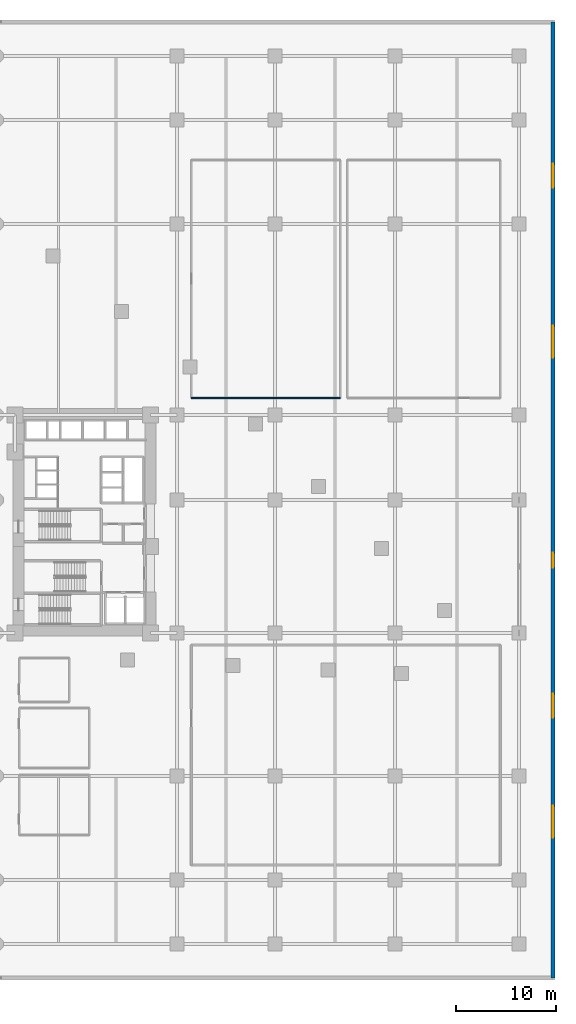
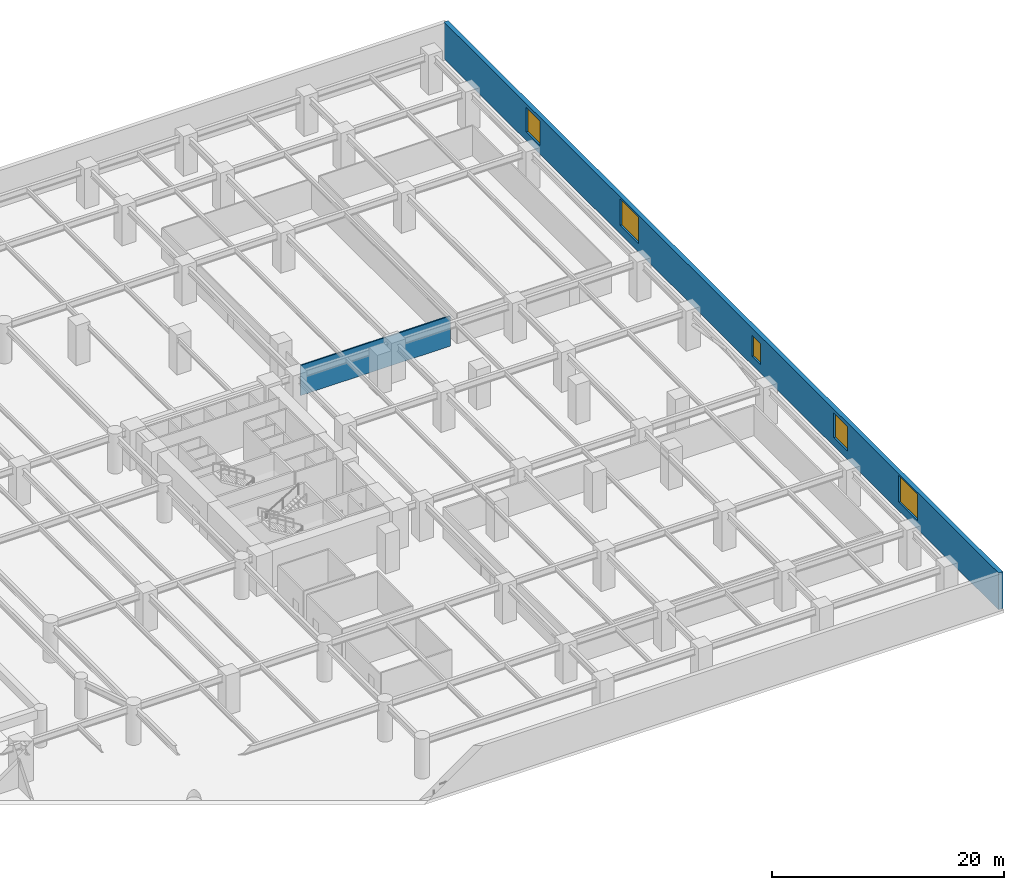
# One storey, part 10 of 25: 5 windows, 2 walls, 5 openings.
"""IFC4 building model written with IfcOpenShell, lengths in metres."""

from ifc_helpers import new_model, si_unit, direction, frame, frame_2d, origin, place, context, subcontext, project, spatial, rectangle, extrude, material, layer, layer_set, type_object, element, fill, save


model = new_model("IFC4")

# Units and contexts
model_context = context("Model", 3, precision=1e-05, world=origin(), true_north=direction((0.0, 1.0)))
body_context = subcontext(model_context, "Body", "Model", "MODEL_VIEW")
ifc_project = project(units=[si_unit("LENGTHUNIT", "METRE"), si_unit("AREAUNIT", "SQUARE_METRE"), si_unit("VOLUMEUNIT", "CUBIC_METRE"), si_unit("PLANEANGLEUNIT", "RADIAN"), si_unit("MASSUNIT", "GRAM", prefix="KILO")], contexts=[model_context])

# Site, building, storey
site_placement = place(None, origin())
site = spatial("IfcSite", under=ifc_project, at=site_placement, CompositionType="ELEMENT")
building_placement = place(site_placement, origin())
building = spatial("IfcBuilding", under=site, at=building_placement, Name="Narakoshi Arena Tower", CompositionType="ELEMENT")
storey_placement = place(building_placement, frame((0.0, 0.0, 9.0)))
storey = spatial("IfcBuildingStorey", under=building, at=storey_placement, Name="L02", CompositionType="ELEMENT", Elevation=9.0)

# Wall
ifc_material_1 = material(Name="Gypsum plasterboard fire-rated partition")
ifc_layer_1 = layer(ifc_material_1, 0.125)
ifc_layer_set_1 = layer_set([ifc_layer_1], Name="Gypsum plasterboard fire-rated partition")
wall_type_1 = type_object("IfcWallType", Name="WL-PART-125", PredefinedType="PARTITIONING", material=ifc_layer_set_1)
wall_1_placement = place(storey_placement, frame((89.60009765625, 58.199951171875, 0.0), z_axis=(0.0, 0.0, 1.0), x_axis=(1.0, 0.0, 0.0)))
element("IfcWall", 1, at=wall_1_placement, inside=storey, type_object=wall_type_1, Name="L02 Corporate Hospitality Box Suite North Wall S", PredefinedType="PARTITIONING", context=body_context, shape_type="SweptSolid", body=[
    extrude(rectangle(XDim=14.89990234375, YDim=0.125, at=frame_2d((7.449951171875, 0.0))), origin(), (0.0, 0.0, 1.0), 3.1650390625),
])

# Wall, openings, windows
ifc_material_2 = material(Name="Precast concrete C45/55", Category="concrete")
ifc_layer_2 = layer(ifc_material_2, 0.419921875)
ifc_layer_set_2 = layer_set([ifc_layer_2], Name="Precast concrete C45/55")
wall_type_2 = type_object("IfcWallType", Name="WL-POD-420", PredefinedType="SOLIDWALL", material=ifc_layer_set_2)
wall_2_placement = place(storey_placement, frame((125.7900390625, 0.2099609375, 0.0), z_axis=(0.0, 0.0, 1.0), x_axis=(0.0, 1.0, 0.0)))
wall_2 = element("IfcWall", 2, at=wall_2_placement, inside=storey, type_object=wall_type_2, Name="L02 Podium Precast Facade Wall E", PredefinedType="SOLIDWALL", context=body_context, shape_type="SweptSolid", body=[
    extrude(rectangle(XDim=95.580078125, YDim=0.419921875, at=frame_2d((47.7900390625, 0.0))), origin(), (0.0, 0.0, 1.0), 3.8798828125),
])
opening_1_placement = place(wall_2_placement, frame((14.0, 0.0, 0.89990234375)))
opening_1 = element("IfcOpeningElement", 3, at=opening_1_placement, cuts=wall_2, Name="Opening WN-08", PredefinedType="OPENING", context=body_context, shape_type="SweptSolid", body=[
    extrude(rectangle(XDim=3.199951171875, YDim=2.800048828125, at=frame_2d((1.60009765625, 1.39990234375))), frame((0.0, 0.219970703125, 0.0), z_axis=(0.0, -1.0, 0.0), x_axis=(1.0, 0.0, 0.0)), (0.0, 0.0, 1.0), 0.43994140625),
])
opening_2_placement = place(wall_2_placement, frame((26.0, 0.0, 0.89990234375)))
opening_2 = element("IfcOpeningElement", 4, at=opening_2_placement, cuts=wall_2, Name="Opening WN-09", PredefinedType="OPENING", context=body_context, shape_type="SweptSolid", body=[
    extrude(rectangle(XDim=2.39990234375, YDim=2.60009765625, at=frame_2d((1.199951171875, 1.300048828125))), frame((0.0, 0.219970703125, 0.0), z_axis=(0.0, -1.0, 0.0), x_axis=(1.0, 0.0, 0.0)), (0.0, 0.0, 1.0), 0.43994140625),
])
opening_3_placement = place(wall_2_placement, frame((41.0, 0.0, 0.89990234375)))
opening_3 = element("IfcOpeningElement", 5, at=opening_3_placement, cuts=wall_2, Name="Opening WN-10", PredefinedType="OPENING", context=body_context, shape_type="SweptSolid", body=[
    extrude(rectangle(XDim=1.5, YDim=2.199951171875, at=frame_2d((0.75, 1.10009765625))), frame((0.0, 0.219970703125, 0.0), z_axis=(0.0, -1.0, 0.0), x_axis=(1.0, 0.0, 0.0)), (0.0, 0.0, 1.0), 0.43994140625),
])
opening_4_placement = place(wall_2_placement, frame((62.0, 0.0, 0.89990234375)))
opening_4 = element("IfcOpeningElement", 6, at=opening_4_placement, cuts=wall_2, Name="Opening WN-08", PredefinedType="OPENING", context=body_context, shape_type="SweptSolid", body=[
    extrude(rectangle(XDim=3.199951171875, YDim=2.800048828125, at=frame_2d((1.60009765625, 1.39990234375))), frame((0.0, 0.219970703125, 0.0), z_axis=(0.0, -1.0, 0.0), x_axis=(1.0, 0.0, 0.0)), (0.0, 0.0, 1.0), 0.43994140625),
])
opening_5_placement = place(wall_2_placement, frame((79.0, 0.0, 0.89990234375)))
opening_5 = element("IfcOpeningElement", 7, at=opening_5_placement, cuts=wall_2, Name="Opening WN-09", PredefinedType="OPENING", context=body_context, shape_type="SweptSolid", body=[
    extrude(rectangle(XDim=2.39990234375, YDim=2.60009765625, at=frame_2d((1.199951171875, 1.300048828125))), frame((0.0, 0.219970703125, 0.0), z_axis=(0.0, -1.0, 0.0), x_axis=(1.0, 0.0, 0.0)), (0.0, 0.0, 1.0), 0.43994140625),
])
ifc_material_3 = material(Name="Bronze-tinted low-E laminated glass", Category="glass")
window_type_1 = type_object("IfcWindowType", Name="WIN-POD-15x22", PartitioningType="SINGLE_PANEL", PredefinedType="WINDOW", material=ifc_material_3)
window_1_placement = place(opening_3_placement, origin())
window_1 = element("IfcWindow", 8, at=window_1_placement, inside=storey, type_object=window_type_1, Name="L02 Podium East Window 03", OverallHeight=2.199951171875, OverallWidth=1.5, PartitioningType="SINGLE_PANEL", PredefinedType="WINDOW", context=body_context, shape_type="SweptSolid", body=[
    extrude(rectangle(XDim=1.5, YDim=2.199951171875, at=frame_2d((0.75, 1.10009765625))), frame((0.0, 0.030029296875, 0.0), z_axis=(0.0, -1.0, 0.0), x_axis=(1.0, 0.0, 0.0)), (0.0, 0.0, 1.0), 0.06005859375),
])
fill(opening_3, window_1)
window_type_2 = type_object("IfcWindowType", Name="WIN-POD-24x26", PartitioningType="SINGLE_PANEL", PredefinedType="WINDOW", material=ifc_material_3)
window_2_placement = place(opening_2_placement, origin())
window_2 = element("IfcWindow", 9, at=window_2_placement, inside=storey, type_object=window_type_2, Name="L02 Podium East Window 02", OverallHeight=2.60009765625, OverallWidth=2.39990234375, PartitioningType="SINGLE_PANEL", PredefinedType="WINDOW", context=body_context, shape_type="SweptSolid", body=[
    extrude(rectangle(XDim=2.39990234375, YDim=2.60009765625, at=frame_2d((1.199951171875, 1.300048828125))), frame((0.0, 0.030029296875, 0.0), z_axis=(0.0, -1.0, 0.0), x_axis=(1.0, 0.0, 0.0)), (0.0, 0.0, 1.0), 0.06005859375),
])
fill(opening_2, window_2)
window_3_placement = place(opening_5_placement, origin())
window_3 = element("IfcWindow", 10, at=window_3_placement, inside=storey, type_object=window_type_2, Name="L02 Podium East Window 05", OverallHeight=2.60009765625, OverallWidth=2.39990234375, PartitioningType="SINGLE_PANEL", PredefinedType="WINDOW", context=body_context, shape_type="SweptSolid", body=[
    extrude(rectangle(XDim=2.39990234375, YDim=2.60009765625, at=frame_2d((1.199951171875, 1.300048828125))), frame((0.0, 0.030029296875, 0.0), z_axis=(0.0, -1.0, 0.0), x_axis=(1.0, 0.0, 0.0)), (0.0, 0.0, 1.0), 0.06005859375),
])
fill(opening_5, window_3)
window_type_3 = type_object("IfcWindowType", Name="WIN-POD-32x28", PartitioningType="SINGLE_PANEL", PredefinedType="WINDOW", material=ifc_material_3)
window_4_placement = place(opening_1_placement, origin())
window_4 = element("IfcWindow", 11, at=window_4_placement, inside=storey, type_object=window_type_3, Name="L02 Podium East Window 01", OverallHeight=2.800048828125, OverallWidth=3.199951171875, PartitioningType="SINGLE_PANEL", PredefinedType="WINDOW", context=body_context, shape_type="SweptSolid", body=[
    extrude(rectangle(XDim=3.199951171875, YDim=2.800048828125, at=frame_2d((1.60009765625, 1.39990234375))), frame((0.0, 0.030029296875, 0.0), z_axis=(0.0, -1.0, 0.0), x_axis=(1.0, 0.0, 0.0)), (0.0, 0.0, 1.0), 0.06005859375),
])
fill(opening_1, window_4)
window_5_placement = place(opening_4_placement, origin())
window_5 = element("IfcWindow", 12, at=window_5_placement, inside=storey, type_object=window_type_3, Name="L02 Podium East Window 04", OverallHeight=2.800048828125, OverallWidth=3.199951171875, PartitioningType="SINGLE_PANEL", PredefinedType="WINDOW", context=body_context, shape_type="SweptSolid", body=[
    extrude(rectangle(XDim=3.199951171875, YDim=2.800048828125, at=frame_2d((1.60009765625, 1.39990234375))), frame((0.0, 0.030029296875, 0.0), z_axis=(0.0, -1.0, 0.0), x_axis=(1.0, 0.0, 0.0)), (0.0, 0.0, 1.0), 0.06005859375),
])
fill(opening_4, window_5)

save(model, "model.ifc")
